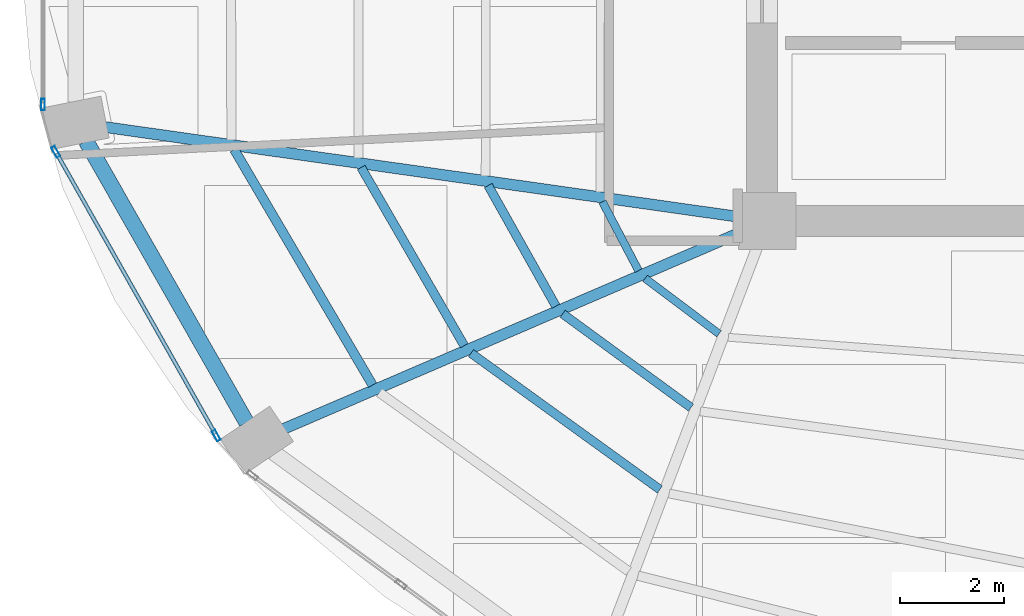
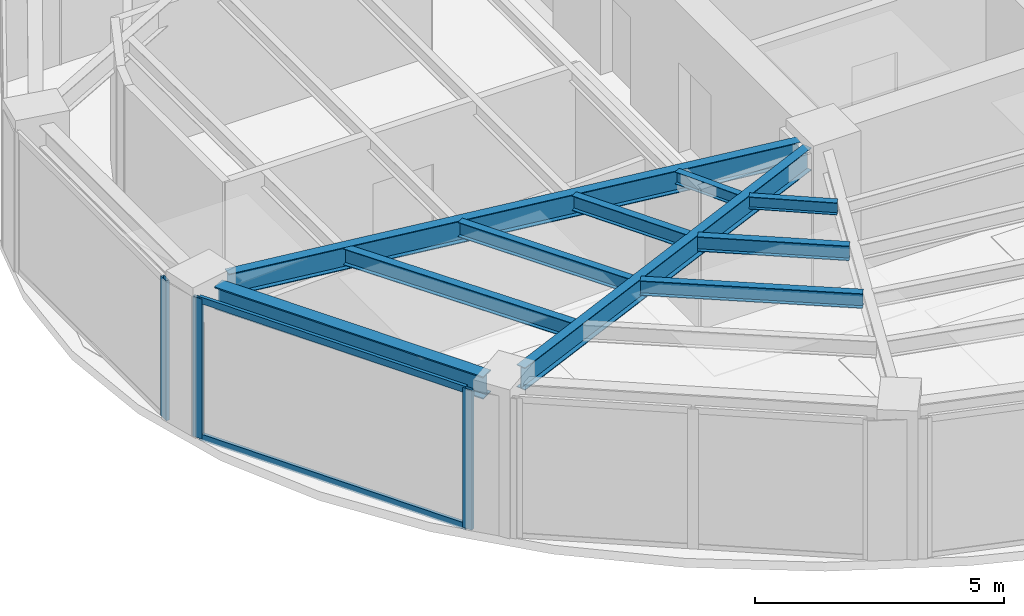
# One storey, part 3 of 20: 10 beams, 5 members, 2 elements without a shape of their own.
"""IFC4 building model written with IfcOpenShell, lengths in metres."""

from ifc_helpers import new_model, si_unit, direction, frame, origin, origin_2d, place, context, subcontext, project, spatial, hollow_rectangle, i_section, extrude, material, layer, layer_set, material_profile, profile_set, type_object, element, aggregate, save


model = new_model("IFC4")

# Units and contexts
model_context = context("Model", 3, precision=1e-05, world=origin(), true_north=direction((0.0, 1.0)))
body_context = subcontext(model_context, "Body", "Model", "MODEL_VIEW")
ifc_project = project(units=[si_unit("LENGTHUNIT", "METRE"), si_unit("AREAUNIT", "SQUARE_METRE"), si_unit("VOLUMEUNIT", "CUBIC_METRE"), si_unit("PLANEANGLEUNIT", "RADIAN"), si_unit("MASSUNIT", "GRAM", prefix="KILO")], contexts=[model_context])

# Site, building, storey
site_placement = place(None, origin())
site = spatial("IfcSite", under=ifc_project, at=site_placement, CompositionType="ELEMENT")
building_placement = place(site_placement, origin())
building = spatial("IfcBuilding", under=site, at=building_placement, Name="Lazwardi Medical Tower", CompositionType="ELEMENT")
storey_placement = place(building_placement, frame((0.0, 0.0, 145.583984375)))
storey = spatial("IfcBuildingStorey", under=building, at=storey_placement, Name="L37", CompositionType="ELEMENT", Elevation=145.583984375)

# Beams
ifc_material_1 = material(Name="Steel S355", Category="steel")
ifc_material_profile_1 = material_profile(ifc_material_1, i_section(OverallWidth=0.300048828125, OverallDepth=0.550048828125, WebThickness=0.014892578125, FlangeThickness=0.029052734375, at=origin_2d()), Name="HEB 550")
ifc_profile_set_1 = profile_set([ifc_material_profile_1], Name="Steel S355")
beam_type_1 = type_object("IfcBeamType", Name="BM-RB-Z3", PredefinedType="BEAM", material=ifc_profile_set_1)
beam_1_placement = place(storey_placement, frame((13.272216796875, 21.94091796875, 3.153076171875), z_axis=(0.495460926326, -0.868630226554, 0.0), x_axis=(0.868630226554, 0.495460926326, 0.0)))
element("IfcBeam", 1, at=beam_1_placement, inside=storey, type_object=beam_type_1, Name="Ring beam RB-04 B13 L37", PredefinedType="BEAM", context=body_context, shape_type="SweptSolid", body=[
    extrude(i_section(OverallWidth=0.300048828125, OverallDepth=0.550048828125, WebThickness=0.014892578125, FlangeThickness=0.029052734375, at=origin_2d()), origin(), (0.0, 0.0, 1.0), 6.24462890625),
])
ifc_material_profile_2 = material_profile(ifc_material_1, i_section(OverallWidth=0.2099609375, OverallDepth=0.550048828125, WebThickness=0.010986328125, FlangeThickness=0.01708984375, at=origin_2d()), Name="IPE 550")
ifc_profile_set_2 = profile_set([ifc_material_profile_2], Name="Steel S355")
beam_type_2 = type_object("IfcBeamType", Name="BM-RG-W2", PredefinedType="BEAM", material=ifc_profile_set_2)
beam_2_placement = place(storey_placement, frame((13.628662109375, 22.209716796875, 3.153076171875), z_axis=(0.99010958763, -0.140296131389, 0.0), x_axis=(0.140296131389, 0.99010958763, 0.0)))
element("IfcBeam", 2, at=beam_2_placement, inside=storey, type_object=beam_type_2, Name="Radial girder RG-03 R13 L37", PredefinedType="BEAM", context=body_context, shape_type="SweptSolid", body=[
    extrude(i_section(OverallWidth=0.2099609375, OverallDepth=0.550048828125, WebThickness=0.010986328125, FlangeThickness=0.01708984375, at=origin_2d()), origin(), (0.0, 0.0, 1.0), 12.364013671875),
])
beam_3_placement = place(storey_placement, frame((17.078857421875, 16.390380859375, 3.153076171875), z_axis=(0.918608156288, 0.395169653695, 0.0), x_axis=(-0.395169653695, 0.918608156288, 0.0)))
element("IfcBeam", 3, at=beam_3_placement, inside=storey, type_object=beam_type_2, Name="Radial girder RG-03 R14 L37", PredefinedType="BEAM", context=body_context, shape_type="SweptSolid", body=[
    extrude(i_section(OverallWidth=0.2099609375, OverallDepth=0.550048828125, WebThickness=0.010986328125, FlangeThickness=0.01708984375, at=origin_2d()), origin(), (0.0, 0.0, 1.0), 9.61181640625),
])
ifc_material_profile_3 = material_profile(ifc_material_1, i_section(OverallWidth=0.179931640625, OverallDepth=0.39990234375, WebThickness=0.008544921875, FlangeThickness=0.013427734375, at=origin_2d()), Name="IPE 400")
ifc_profile_set_3 = profile_set([ifc_material_profile_3], Name="Steel S355")
beam_type_3 = type_object("IfcBeamType", Name="BM-SJ-01", PredefinedType="JOIST", material=ifc_profile_set_3)
beam_4_placement = place(storey_placement, frame((16.127685546875, 21.776611328125, 3.22802734375), z_axis=(0.506420212881, -0.862286824662, 0.0), x_axis=(0.862286824662, 0.506420212881, 0.0)))
element("IfcBeam", 4, at=beam_4_placement, inside=storey, type_object=beam_type_3, Name="Secondary joist SJ-01 R1 B13 L37", PredefinedType="JOIST", context=body_context, shape_type="SweptSolid", body=[
    extrude(i_section(OverallWidth=0.179931640625, OverallDepth=0.39990234375, WebThickness=0.008544921875, FlangeThickness=0.013427734375, at=origin_2d()), origin(), (0.0, 0.0, 1.0), 5.265380859375),
])
ifc_material_profile_4 = material_profile(ifc_material_1, i_section(OverallWidth=0.169921875, OverallDepth=0.360107421875, WebThickness=0.008056640625, FlangeThickness=0.0126953125, at=origin_2d()), Name="IPE 360")
ifc_profile_set_4 = profile_set([ifc_material_profile_4], Name="Steel S355")
beam_type_4 = type_object("IfcBeamType", Name="BM-SJ-02", PredefinedType="JOIST", material=ifc_profile_set_4)
beam_5_placement = place(storey_placement, frame((18.5751953125, 21.42919921875, 3.248046875), z_axis=(0.500640648605, -0.865655209055, 0.0), x_axis=(0.865655209055, 0.500640648605, 0.0)))
element("IfcBeam", 5, at=beam_5_placement, inside=storey, type_object=beam_type_4, Name="Secondary joist SJ-02 R2 B13 L37", PredefinedType="JOIST", context=body_context, shape_type="SweptSolid", body=[
    extrude(i_section(OverallWidth=0.169921875, OverallDepth=0.360107421875, WebThickness=0.008056640625, FlangeThickness=0.0126953125, at=origin_2d()), origin(), (0.0, 0.0, 1.0), 3.965576171875),
])
beam_6_placement = place(storey_placement, frame((20.69189453125, 17.851318359375, 3.248046875), z_axis=(0.810738039179, -0.585409114917, 0.0), x_axis=(0.585409114917, 0.810738039179, 0.0)))
element("IfcBeam", 6, at=beam_6_placement, inside=storey, type_object=beam_type_4, Name="Secondary joist SJ-02 R2 B14 L37", PredefinedType="JOIST", context=body_context, shape_type="SweptSolid", body=[
    extrude(i_section(OverallWidth=0.169921875, OverallDepth=0.360107421875, WebThickness=0.008056640625, FlangeThickness=0.0126953125, at=origin_2d()), origin(), (0.0, 0.0, 1.0), 4.48779296875),
])
beam_7_placement = place(storey_placement, frame((21.022705078125, 21.081787109375, 3.248046875), z_axis=(0.489408945026, -0.872054404569, 0.0), x_axis=(0.872054404569, 0.489408945026, 0.0)))
element("IfcBeam", 7, at=beam_7_placement, inside=storey, type_object=beam_type_4, Name="Secondary joist SJ-02 R3 B13 L37", PredefinedType="JOIST", context=body_context, shape_type="SweptSolid", body=[
    extrude(i_section(OverallWidth=0.169921875, OverallDepth=0.360107421875, WebThickness=0.008056640625, FlangeThickness=0.0126953125, at=origin_2d()), origin(), (0.0, 0.0, 1.0), 2.666259765625),
])
beam_8_placement = place(storey_placement, frame((22.45751953125, 18.6103515625, 3.248046875), z_axis=(0.807285959008, -0.590160470033, 0.0), x_axis=(0.590160470033, 0.807285959008, 0.0)))
element("IfcBeam", 8, at=beam_8_placement, inside=storey, type_object=beam_type_4, Name="Secondary joist SJ-02 R3 B14 L37", PredefinedType="JOIST", context=body_context, shape_type="SweptSolid", body=[
    extrude(i_section(OverallWidth=0.169921875, OverallDepth=0.360107421875, WebThickness=0.008056640625, FlangeThickness=0.0126953125, at=origin_2d()), origin(), (0.0, 0.0, 1.0), 3.06298828125),
])
ifc_material_profile_5 = material_profile(ifc_material_1, i_section(OverallWidth=0.14990234375, OverallDepth=0.300048828125, WebThickness=0.007080078125, FlangeThickness=0.0107421875, at=origin_2d()), Name="IPE 300")
ifc_profile_set_5 = profile_set([ifc_material_profile_5], Name="Steel S355")
beam_type_5 = type_object("IfcBeamType", Name="BM-SJ-03", PredefinedType="JOIST", material=ifc_profile_set_5)
beam_9_placement = place(storey_placement, frame((23.2236328125, 20.768310546875, 3.278076171875), z_axis=(0.464469748171, -0.885588986513, 0.0), x_axis=(0.885588986513, 0.464469748171, 0.0)))
element("IfcBeam", 9, at=beam_9_placement, inside=storey, type_object=beam_type_5, Name="Secondary joist SJ-03 R4 B13 L37", PredefinedType="JOIST", context=body_context, shape_type="SweptSolid", body=[
    extrude(i_section(OverallWidth=0.14990234375, OverallDepth=0.300048828125, WebThickness=0.007080078125, FlangeThickness=0.0107421875, at=origin_2d()), origin(), (0.0, 0.0, 1.0), 1.498046875),
])
beam_10_placement = place(storey_placement, frame((24.0458984375, 19.29296875, 3.278076171875), z_axis=(0.799884834751, -0.600153522972, 0.0), x_axis=(0.600153522972, 0.799884834751, 0.0)))
element("IfcBeam", 10, at=beam_10_placement, inside=storey, type_object=beam_type_5, Name="Secondary joist SJ-03 R4 B14 L37", PredefinedType="JOIST", context=body_context, shape_type="SweptSolid", body=[
    extrude(i_section(OverallWidth=0.14990234375, OverallDepth=0.300048828125, WebThickness=0.007080078125, FlangeThickness=0.0107421875, at=origin_2d()), origin(), (0.0, 0.0, 1.0), 1.781005859375),
])

# Curtain wall, member
ifc_material_2 = material(Name="Anodised bronze aluminium and solar control glazing", Category="aluminium")
ifc_layer = layer(ifc_material_2, 0.195068359375)
ifc_layer_set = layer_set([ifc_layer], Name="Anodised bronze aluminium and solar control glazing")
curtain_wall_type = type_object("IfcCurtainWallType", Name="CW-SYS-03", PredefinedType="NOTDEFINED", material=ifc_layer_set)
curtain_wall_1_placement = place(storey_placement, origin())
curtain_wall_1 = element("IfcCurtainWall", 11, at=curtain_wall_1_placement, inside=storey, type_object=curtain_wall_type, Name="L37 Unitised bronze curtain wall CW-03", PredefinedType="NOTDEFINED")
ifc_material_3 = material(Name="Anodised bronze aluminium", Category="aluminium")
ifc_material_profile_6 = material_profile(ifc_material_3, hollow_rectangle(XDim=0.074951171875, YDim=0.219970703125, WallThickness=0.00390625, at=origin_2d()), Name="ALU-MULLION 220x75x4")
ifc_profile_set_6 = profile_set([ifc_material_profile_6], Name="Anodised bronze aluminium")
member_type_1 = type_object("IfcMemberType", Name="CW-MUL-01", PredefinedType="MULLION", material=ifc_profile_set_6)
member_1_placement = place(storey_placement, frame((12.4423828125, 22.64208984375, 0.0), z_axis=(0.0, 0.0, 1.0), x_axis=(1.0, 0.0, 0.0)))
member_1 = element("IfcMember", 12, at=member_1_placement, type_object=member_type_1, Name="CW-03 mullion 2", PredefinedType="MULLION", context=body_context, shape_type="SweptSolid", body=[
    extrude(hollow_rectangle(XDim=0.074951171875, YDim=0.219970703125, WallThickness=0.00390625, at=origin_2d()), origin(), (0.0, 0.0, 1.0), 3.427978515625),
])
aggregate(curtain_wall_1, [member_1])

# Curtain wall, members
curtain_wall_2_placement = place(storey_placement, origin())
curtain_wall_2 = element("IfcCurtainWall", 13, at=curtain_wall_2_placement, inside=storey, type_object=curtain_wall_type, Name="L37 Unitised bronze curtain wall CW-03", PredefinedType="NOTDEFINED")
member_2_placement = place(storey_placement, frame((12.68896484375, 21.732666015625, 0.0), z_axis=(0.0, 0.0, 1.0), x_axis=(0.870418989303, 0.492311672683, 0.0)))
member_2 = element("IfcMember", 14, at=member_2_placement, type_object=member_type_1, Name="CW-03 mullion 1", PredefinedType="MULLION", context=body_context, shape_type="SweptSolid", body=[
    extrude(hollow_rectangle(XDim=0.074951171875, YDim=0.219970703125, WallThickness=0.00390625, at=origin_2d()), origin(), (0.0, 0.0, 1.0), 3.427978515625),
])
member_3_placement = place(storey_placement, frame((15.782470703125, 16.26318359375, 0.0), z_axis=(0.0, 0.0, 1.0), x_axis=(0.870418989303, 0.492311672683, 0.0)))
member_3 = element("IfcMember", 15, at=member_3_placement, type_object=member_type_1, Name="CW-03 mullion 2", PredefinedType="MULLION", context=body_context, shape_type="SweptSolid", body=[
    extrude(hollow_rectangle(XDim=0.074951171875, YDim=0.219970703125, WallThickness=0.00390625, at=origin_2d()), origin(), (0.0, 0.0, 1.0), 3.427978515625),
])
ifc_material_profile_7 = material_profile(ifc_material_3, hollow_rectangle(XDim=0.074951171875, YDim=0.159912109375, WallThickness=0.00390625, at=origin_2d()), Name="ALU-TRANSOM 160x75x4")
ifc_profile_set_7 = profile_set([ifc_material_profile_7], Name="Anodised bronze aluminium")
member_type_2 = type_object("IfcMemberType", Name="CW-TRN-01", PredefinedType="USERDEFINED", material=ifc_profile_set_7)
member_4_placement = place(storey_placement, frame((12.707275390625, 21.7001953125, 0.03759765625), z_axis=(0.492306010269, -0.870422191958, 0.0), x_axis=(0.870422191958, 0.492306010269, 0.0)))
member_4 = element("IfcMember", 16, at=member_4_placement, type_object=member_type_2, Name="CW-03 transom 1.1", ObjectType="TRANSOM", PredefinedType="USERDEFINED", context=body_context, shape_type="SweptSolid", body=[
    extrude(hollow_rectangle(XDim=0.074951171875, YDim=0.159912109375, WallThickness=0.00390625, at=origin_2d()), origin(), (0.0, 0.0, 1.0), 6.208740234375),
])
member_5_placement = place(storey_placement, frame((12.707275390625, 21.7001953125, 3.390625), z_axis=(0.492306010269, -0.870422191958, 0.0), x_axis=(0.870422191958, 0.492306010269, 0.0)))
member_5 = element("IfcMember", 17, at=member_5_placement, type_object=member_type_2, Name="CW-03 transom 1.2", ObjectType="TRANSOM", PredefinedType="USERDEFINED", context=body_context, shape_type="SweptSolid", body=[
    extrude(hollow_rectangle(XDim=0.074951171875, YDim=0.159912109375, WallThickness=0.00390625, at=origin_2d()), origin(), (0.0, 0.0, 1.0), 6.208740234375),
])
aggregate(curtain_wall_2, [member_2, member_3, member_4, member_5])

save(model, "model.ifc")
